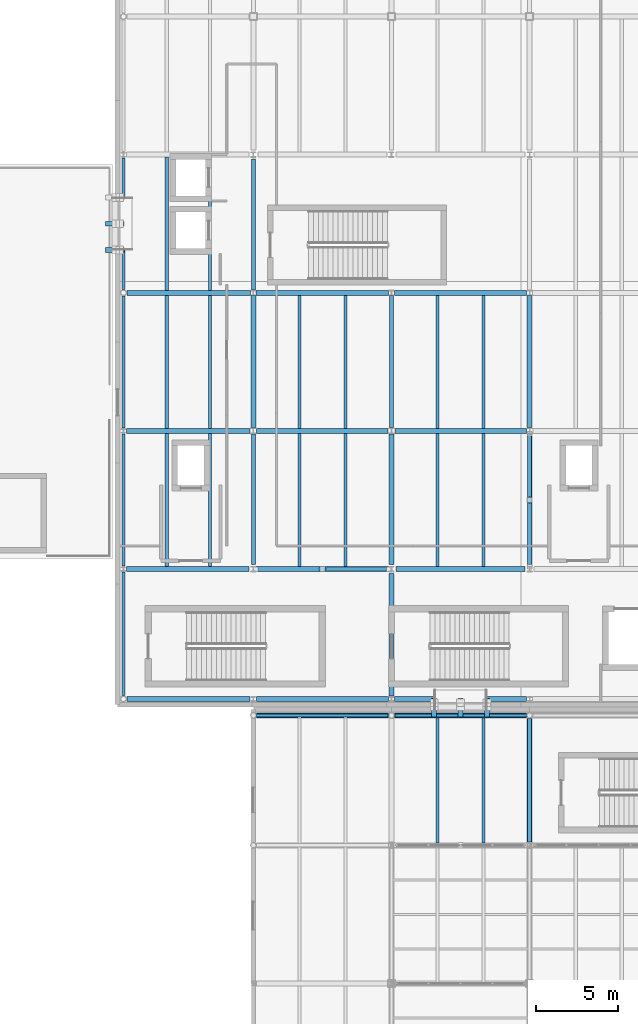
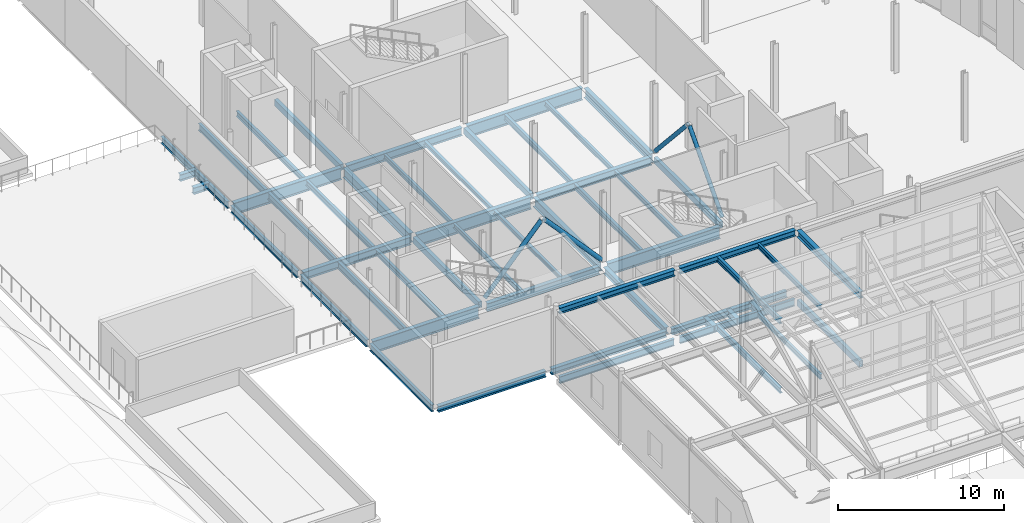
# One storey, part 35 of 91: 53 beams, 4 members.
"""IFC4 building model written with IfcOpenShell, lengths in metres."""

from ifc_helpers import new_model, si_unit, direction, frame, origin, origin_2d, place, context, subcontext, project, spatial, hollow_rectangle, hollow_circle, i_section, extrude, material, material_profile, profile_set, type_object, element, save


model = new_model("IFC4")

# Units and contexts
model_context = context("Model", 3, precision=1e-05, world=origin(), true_north=direction((0.0, 1.0)))
body_context = subcontext(model_context, "Body", "Model", "MODEL_VIEW")
ifc_project = project(units=[si_unit("LENGTHUNIT", "METRE"), si_unit("AREAUNIT", "SQUARE_METRE"), si_unit("VOLUMEUNIT", "CUBIC_METRE"), si_unit("PLANEANGLEUNIT", "RADIAN"), si_unit("MASSUNIT", "GRAM", prefix="KILO"), si_unit("THERMODYNAMICTEMPERATUREUNIT", "KELVIN")], contexts=[model_context])

# Site, building, storey
site_placement = place(None, origin())
site = spatial("IfcSite", under=ifc_project, at=site_placement, CompositionType="ELEMENT")
building_placement = place(site_placement, origin())
building = spatial("IfcBuilding", under=site, at=building_placement, Name="Lustrewick Department Store", CompositionType="ELEMENT")
storey_placement = place(building_placement, frame((0.0, 0.0, 21.60009765625)))
storey = spatial("IfcBuildingStorey", under=building, at=storey_placement, Name="L05", CompositionType="ELEMENT", Elevation=21.60009765625)

# Beams
ifc_material_1 = material(Name="Structural steel Q355B", Category="steel")
ifc_material_profile_1 = material_profile(ifc_material_1, i_section(OverallWidth=0.199951171875, OverallDepth=0.5, WebThickness=0.010009765625, FlangeThickness=0.01611328125, FilletRadius=0.01611328125, at=origin_2d()), Name="HN 500x200x10x16")
ifc_profile_set_1 = profile_set([ifc_material_profile_1], Name="Structural steel Q355B")
beam_type_1 = type_object("IfcBeamType", Name="B01", PredefinedType="JOIST", material=ifc_profile_set_1)
beam_1_placement = place(storey_placement, frame((112.333251953125, 58.949462890625, -0.505126953125), z_axis=(0.0, 1.0, 0.0), x_axis=(-1.0, 0.0, 0.0)))
element("IfcBeam", 1, at=beam_1_placement, inside=storey, type_object=beam_type_1, Name="L05 V4 Secondary Joist B01", PredefinedType="JOIST", context=body_context, shape_type="SweptSolid", body=[
    extrude(i_section(OverallWidth=0.199951171875, OverallDepth=0.5, WebThickness=0.010009765625, FlangeThickness=0.01611328125, FilletRadius=0.01611328125, at=origin_2d()), origin(), (0.0, 0.0, 1.0), 8.1005859375),
])
beam_2_placement = place(storey_placement, frame((112.333251953125, 67.35009765625, -0.505126953125), z_axis=(0.0, 1.0, 0.0), x_axis=(-1.0, 0.0, 0.0)))
element("IfcBeam", 2, at=beam_2_placement, inside=storey, type_object=beam_type_1, Name="L05 V4 Secondary Joist B01", PredefinedType="JOIST", context=body_context, shape_type="SweptSolid", body=[
    extrude(i_section(OverallWidth=0.199951171875, OverallDepth=0.5, WebThickness=0.010009765625, FlangeThickness=0.01611328125, FilletRadius=0.01611328125, at=origin_2d()), origin(), (0.0, 0.0, 1.0), 8.100341796875),
])
beam_3_placement = place(storey_placement, frame((112.333251953125, 75.74951171875, -0.505126953125), z_axis=(0.0, 1.0, 0.0), x_axis=(-1.0, 0.0, 0.0)))
element("IfcBeam", 3, at=beam_3_placement, inside=storey, type_object=beam_type_1, Name="L05 V4 Secondary Joist B01", PredefinedType="JOIST", context=body_context, shape_type="SweptSolid", body=[
    extrude(i_section(OverallWidth=0.199951171875, OverallDepth=0.5, WebThickness=0.010009765625, FlangeThickness=0.01611328125, FilletRadius=0.01611328125, at=origin_2d()), origin(), (0.0, 0.0, 1.0), 8.1005859375),
])
ifc_material_profile_2 = material_profile(ifc_material_1, i_section(OverallWidth=0.199951171875, OverallDepth=0.39990234375, WebThickness=0.008056640625, FlangeThickness=0.012939453125, FilletRadius=0.013916015625, at=origin_2d()), Name="HN 400x200x8x13")
ifc_profile_set_2 = profile_set([ifc_material_profile_2], Name="Structural steel Q355B")
beam_type_2 = type_object("IfcBeamType", Name="B05", PredefinedType="JOIST", material=ifc_profile_set_2)
beam_4_placement = place(storey_placement, frame((128.800048828125, 42.1494140625, -0.455078125), z_axis=(0.0, 1.0, 0.0), x_axis=(-1.0, 0.0, 0.0)))
element("IfcBeam", 4, at=beam_4_placement, inside=storey, type_object=beam_type_2, Name="L05 V3 Secondary Joist B05", PredefinedType="JOIST", context=body_context, shape_type="SweptSolid", body=[
    extrude(i_section(OverallWidth=0.199951171875, OverallDepth=0.39990234375, WebThickness=0.008056640625, FlangeThickness=0.012939453125, FilletRadius=0.013916015625, at=origin_2d()), origin(), (0.0, 0.0, 1.0), 7.650146484375),
])
for number, where, z_axis, x_axis, name in (
    (5, (114.966796875, 58.949462890625, -0.455078125), (0.0, 1.0, 0.0), (-1.0, 0.0, 0.0), "L05 V4 Secondary Joist B05"),
    (6, (128.800048828125, 58.949462890625, -0.455078125), (0.0, 1.0, 0.0), (-1.0, 0.0, 0.0), "L05 V4 Secondary Joist B05"),
):
    element("IfcBeam", number, at=place(storey_placement, frame(where, z_axis=z_axis, x_axis=x_axis)), inside=storey, type_object=beam_type_2, Name=name, PredefinedType="JOIST", context=body_context, shape_type="SweptSolid", body=[
        extrude(i_section(OverallWidth=0.199951171875, OverallDepth=0.39990234375, WebThickness=0.008056640625, FlangeThickness=0.012939453125, FilletRadius=0.013916015625, at=origin_2d()), origin(), (0.0, 0.0, 1.0), 8.1005859375),
    ])
for number, where, z_axis, x_axis, name in (
    (7, (114.966796875, 67.35009765625, -0.455078125), (0.0, 1.0, 0.0), (-1.0, 0.0, 0.0), "L05 V4 Secondary Joist B05"),
    (8, (128.800048828125, 67.35009765625, -0.455078125), (0.0, 1.0, 0.0), (-1.0, 0.0, 0.0), "L05 V4 Secondary Joist B05"),
):
    element("IfcBeam", number, at=place(storey_placement, frame(where, z_axis=z_axis, x_axis=x_axis)), inside=storey, type_object=beam_type_2, Name=name, PredefinedType="JOIST", context=body_context, shape_type="SweptSolid", body=[
        extrude(i_section(OverallWidth=0.199951171875, OverallDepth=0.39990234375, WebThickness=0.008056640625, FlangeThickness=0.012939453125, FilletRadius=0.013916015625, at=origin_2d()), origin(), (0.0, 0.0, 1.0), 8.100341796875),
    ])
beam_5_placement = place(storey_placement, frame((114.966796875, 75.74951171875, -0.455078125), z_axis=(0.0, 1.0, 0.0), x_axis=(-1.0, 0.0, 0.0)))
element("IfcBeam", 9, at=beam_5_placement, inside=storey, type_object=beam_type_2, Name="L05 V4 Secondary Joist B05", PredefinedType="JOIST", context=body_context, shape_type="SweptSolid", body=[
    extrude(i_section(OverallWidth=0.199951171875, OverallDepth=0.39990234375, WebThickness=0.008056640625, FlangeThickness=0.012939453125, FilletRadius=0.013916015625, at=origin_2d()), origin(), (0.0, 0.0, 1.0), 8.1005859375),
])
ifc_material_profile_3 = material_profile(ifc_material_1, i_section(OverallWidth=0.198974609375, OverallDepth=0.39599609375, WebThickness=0.007080078125, FlangeThickness=0.010986328125, FilletRadius=0.013916015625, at=origin_2d()), Name="HN 396x199x7x11")
ifc_profile_set_3 = profile_set([ifc_material_profile_3], Name="Structural steel Q355B")
beam_type_3 = type_object("IfcBeamType", Name="B06", PredefinedType="JOIST", material=ifc_profile_set_3)
beam_6_placement = place(storey_placement, frame((128.800048828125, 42.15087890625, 4.64697265625), z_axis=(0.0, 1.0, 0.0), x_axis=(-1.0, 0.0, 0.0)))
element("IfcBeam", 10, at=beam_6_placement, inside=storey, type_object=beam_type_3, Name="L05 V3 Secondary Joist B06", PredefinedType="JOIST", context=body_context, shape_type="SweptSolid", body=[
    extrude(i_section(OverallWidth=0.198974609375, OverallDepth=0.39599609375, WebThickness=0.007080078125, FlangeThickness=0.010986328125, FilletRadius=0.013916015625, at=origin_2d()), origin(), (0.0, 0.0, 1.0), 7.59912109375),
])
ifc_material_profile_4 = material_profile(ifc_material_1, i_section(OverallWidth=0.175048828125, OverallDepth=0.35009765625, WebThickness=0.007080078125, FlangeThickness=0.010986328125, FilletRadius=0.012939453125, at=origin_2d()), Name="HN 350x175x7x11")
ifc_profile_set_4 = profile_set([ifc_material_profile_4], Name="Structural steel Q355B")
beam_type_4 = type_object("IfcBeamType", Name="B09", PredefinedType="JOIST", material=ifc_profile_set_4)
beam_7_placement = place(storey_placement, frame((131.60009765625, 42.1494140625, -0.43017578125), z_axis=(0.0, 1.0, 0.0), x_axis=(-1.0, 0.0, 0.0)))
element("IfcBeam", 11, at=beam_7_placement, inside=storey, type_object=beam_type_4, Name="L05 V3 Secondary Joist B09", PredefinedType="JOIST", context=body_context, shape_type="SweptSolid", body=[
    extrude(i_section(OverallWidth=0.175048828125, OverallDepth=0.35009765625, WebThickness=0.007080078125, FlangeThickness=0.010986328125, FilletRadius=0.012939453125, at=origin_2d()), origin(), (0.0, 0.0, 1.0), 7.650146484375),
])
for number, where, z_axis, x_axis, name in (
    (12, (120.39990234375, 58.949951171875, -0.43017578125), (0.0, 1.0, 0.0), (-1.0, 0.0, 0.0), "L05 V4 Secondary Joist B09"),
    (13, (131.60009765625, 58.949462890625, -0.43017578125), (0.0, 1.0, 0.0), (-1.0, 0.0, 0.0), "L05 V4 Secondary Joist B09"),
):
    element("IfcBeam", number, at=place(storey_placement, frame(where, z_axis=z_axis, x_axis=x_axis)), inside=storey, type_object=beam_type_4, Name=name, PredefinedType="JOIST", context=body_context, shape_type="SweptSolid", body=[
        extrude(i_section(OverallWidth=0.175048828125, OverallDepth=0.35009765625, WebThickness=0.007080078125, FlangeThickness=0.010986328125, FilletRadius=0.012939453125, at=origin_2d()), origin(), (0.0, 0.0, 1.0), 8.1005859375),
    ])
for number, where, z_axis, x_axis, name in (
    (14, (120.39990234375, 67.349609375, -0.43017578125), (0.0, 1.0, 0.0), (-1.0, 0.0, 0.0), "L05 V4 Secondary Joist B09"),
    (15, (131.60009765625, 67.35009765625, -0.43017578125), (0.0, 1.0, 0.0), (-1.0, 0.0, 0.0), "L05 V4 Secondary Joist B09"),
):
    element("IfcBeam", number, at=place(storey_placement, frame(where, z_axis=z_axis, x_axis=x_axis)), inside=storey, type_object=beam_type_4, Name=name, PredefinedType="JOIST", context=body_context, shape_type="SweptSolid", body=[
        extrude(i_section(OverallWidth=0.175048828125, OverallDepth=0.35009765625, WebThickness=0.007080078125, FlangeThickness=0.010986328125, FilletRadius=0.012939453125, at=origin_2d()), origin(), (0.0, 0.0, 1.0), 8.100341796875),
    ])
ifc_material_profile_5 = material_profile(ifc_material_1, i_section(OverallWidth=0.174072265625, OverallDepth=0.345947265625, WebThickness=0.006103515625, FlangeThickness=0.009033203125, FilletRadius=0.012939453125, at=origin_2d()), Name="HN 346x174x6x9")
ifc_profile_set_5 = profile_set([ifc_material_profile_5], Name="Structural steel Q355B")
beam_type_5 = type_object("IfcBeamType", Name="B10", PredefinedType="JOIST", material=ifc_profile_set_5)
beam_8_placement = place(storey_placement, frame((131.60009765625, 42.15087890625, 4.671875), z_axis=(0.0, 1.0, 0.0), x_axis=(-1.0, 0.0, 0.0)))
element("IfcBeam", 16, at=beam_8_placement, inside=storey, type_object=beam_type_5, Name="L05 V3 Secondary Joist B10", PredefinedType="JOIST", context=body_context, shape_type="SweptSolid", body=[
    extrude(i_section(OverallWidth=0.174072265625, OverallDepth=0.345947265625, WebThickness=0.006103515625, FlangeThickness=0.009033203125, FilletRadius=0.012939453125, at=origin_2d()), origin(), (0.0, 0.0, 1.0), 7.59912109375),
])
ifc_material_profile_6 = material_profile(ifc_material_1, i_section(OverallWidth=0.199951171875, OverallDepth=0.2939453125, WebThickness=0.008056640625, FlangeThickness=0.011962890625, FilletRadius=0.013916015625, at=origin_2d()), Name="HM 294x200x8x12")
ifc_profile_set_6 = profile_set([ifc_material_profile_6], Name="Structural steel Q355B")
beam_type_6 = type_object("IfcBeamType", Name="B13", PredefinedType="JOIST", material=ifc_profile_set_6)
beam_9_placement = place(storey_placement, frame((123.199951171875, 58.949951171875, -0.402099609375), z_axis=(0.0, 1.0, 0.0), x_axis=(-1.0, 0.0, 0.0)))
element("IfcBeam", 17, at=beam_9_placement, inside=storey, type_object=beam_type_6, Name="L05 V4 Secondary Joist B13", PredefinedType="JOIST", context=body_context, shape_type="SweptSolid", body=[
    extrude(i_section(OverallWidth=0.199951171875, OverallDepth=0.2939453125, WebThickness=0.008056640625, FlangeThickness=0.011962890625, FilletRadius=0.013916015625, at=origin_2d()), origin(), (0.0, 0.0, 1.0), 8.1005859375),
])
beam_10_placement = place(storey_placement, frame((123.199951171875, 67.349609375, -0.402099609375), z_axis=(0.0, 1.0, 0.0), x_axis=(-1.0, 0.0, 0.0)))
element("IfcBeam", 18, at=beam_10_placement, inside=storey, type_object=beam_type_6, Name="L05 V4 Secondary Joist B13", PredefinedType="JOIST", context=body_context, shape_type="SweptSolid", body=[
    extrude(i_section(OverallWidth=0.199951171875, OverallDepth=0.2939453125, WebThickness=0.008056640625, FlangeThickness=0.011962890625, FilletRadius=0.013916015625, at=origin_2d()), origin(), (0.0, 0.0, 1.0), 8.100341796875),
])

# Members
ifc_material_2 = material(Name="Structural steel Q355C", Category="steel")
ifc_material_profile_7 = material_profile(ifc_material_2, hollow_circle(Radius=0.1494140625, WallThickness=0.011962890625, at=origin_2d()), Name="CHS 299x12")
ifc_profile_set_7 = profile_set([ifc_material_profile_7], Name="Structural steel Q355C")
member_type_1 = type_object("IfcMemberType", Name="BR02", PredefinedType="BRACE", material=ifc_profile_set_7)
member_1_placement = place(storey_placement, frame((117.75, 58.800048828125, 0.14990234375), z_axis=(0.672670724561, 0.0, 0.739941954695), x_axis=(0.0, 1.0, 0.0)))
element("IfcMember", 19, at=member_1_placement, inside=storey, type_object=member_type_1, Name="L05 V4 Chevron Brace BR02", PredefinedType="BRACE", context=body_context, shape_type="SweptSolid", body=[
    extrude(hollow_circle(Radius=0.1494140625, WallThickness=0.011962890625, at=origin_2d()), origin(), (0.0, 0.0, 1.0), 5.8720703125),
])
member_2_placement = place(storey_placement, frame((125.85009765625, 58.800048828125, 0.14990234375), z_axis=(-0.672693487479, 0.0, 0.73992126061), x_axis=(0.0, -1.0, 0.0)))
element("IfcMember", 20, at=member_2_placement, inside=storey, type_object=member_type_1, Name="L05 V4 Chevron Brace BR02", PredefinedType="BRACE", context=body_context, shape_type="SweptSolid", body=[
    extrude(hollow_circle(Radius=0.1494140625, WallThickness=0.011962890625, at=origin_2d()), origin(), (0.0, 0.0, 1.0), 5.872314453125),
])
ifc_material_profile_8 = material_profile(ifc_material_2, hollow_circle(Radius=0.136474609375, WallThickness=0.010009765625, at=origin_2d()), Name="CHS 273x10")
ifc_profile_set_8 = profile_set([ifc_material_profile_8], Name="Structural steel Q355C")
member_type_2 = type_object("IfcMemberType", Name="BR03", PredefinedType="BRACE", material=ifc_profile_set_8)
member_3_placement = place(storey_placement, frame((134.39990234375, 58.949951171875, 0.14990234375), z_axis=(0.0, 0.672670724561, 0.739941954695), x_axis=(-1.0, 0.0, 0.0)))
element("IfcMember", 21, at=member_3_placement, inside=storey, type_object=member_type_2, Name="L05 V4 Chevron Brace BR03", PredefinedType="BRACE", context=body_context, shape_type="SweptSolid", body=[
    extrude(hollow_circle(Radius=0.136474609375, WallThickness=0.010009765625, at=origin_2d()), origin(), (0.0, 0.0, 1.0), 5.8720703125),
])
member_4_placement = place(storey_placement, frame((134.39990234375, 67.028076171875, 0.14990234375), z_axis=(0.0, -0.670614222586, 0.741806285), x_axis=(1.0, 0.0, 0.0)))
element("IfcMember", 22, at=member_4_placement, inside=storey, type_object=member_type_2, Name="L05 V4 Chevron Brace BR03", PredefinedType="BRACE", context=body_context, shape_type="SweptSolid", body=[
    extrude(hollow_circle(Radius=0.136474609375, WallThickness=0.010009765625, at=origin_2d()), origin(), (0.0, 0.0, 1.0), 5.857177734375),
])

# Beams
ifc_material_profile_9 = material_profile(ifc_material_2, i_section(OverallWidth=0.299072265625, OverallDepth=0.889892578125, WebThickness=0.014892578125, FlangeThickness=0.02294921875, FilletRadius=0.02392578125, at=origin_2d()), Name="HN 890x299x15x23")
ifc_profile_set_9 = profile_set([ifc_material_profile_9], Name="Structural steel Q355C")
beam_type_7 = type_object("IfcBeamType", Name="G03", PredefinedType="BEAM", material=ifc_profile_set_9)
beam_11_placement = place(storey_placement, frame((109.888427734375, 58.800048828125, -0.7001953125), z_axis=(1.0, 0.0, 0.0), x_axis=(0.0, 1.0, 0.0)))
element("IfcBeam", 23, at=beam_11_placement, inside=storey, type_object=beam_type_7, Name="L05 V4 Girder G03", PredefinedType="BEAM", context=body_context, shape_type="SweptSolid", body=[
    extrude(i_section(OverallWidth=0.299072265625, OverallDepth=0.889892578125, WebThickness=0.014892578125, FlangeThickness=0.02294921875, FilletRadius=0.02392578125, at=origin_2d()), origin(), (0.0, 0.0, 1.0), 7.4365234375),
])
beam_12_placement = place(storey_placement, frame((126.27490234375, 58.800048828125, -0.7001953125), z_axis=(1.0, 0.0, 0.0), x_axis=(0.0, 1.0, 0.0)))
element("IfcBeam", 24, at=beam_12_placement, inside=storey, type_object=beam_type_7, Name="L05 V4 Girder G03", PredefinedType="BEAM", context=body_context, shape_type="SweptSolid", body=[
    extrude(i_section(OverallWidth=0.299072265625, OverallDepth=0.889892578125, WebThickness=0.014892578125, FlangeThickness=0.02294921875, FilletRadius=0.02392578125, at=origin_2d()), origin(), (0.0, 0.0, 1.0), 7.85009765625),
])
beam_13_placement = place(storey_placement, frame((117.801025390625, 67.199951171875, -0.7001953125), z_axis=(1.0, 0.0, 0.0), x_axis=(0.0, 1.0, 0.0)))
element("IfcBeam", 25, at=beam_13_placement, inside=storey, type_object=beam_type_7, Name="L05 V4 Girder G03", PredefinedType="BEAM", context=body_context, shape_type="SweptSolid", body=[
    extrude(i_section(OverallWidth=0.299072265625, OverallDepth=0.889892578125, WebThickness=0.014892578125, FlangeThickness=0.02294921875, FilletRadius=0.02392578125, at=origin_2d()), origin(), (0.0, 0.0, 1.0), 7.998046875),
])
beam_14_placement = place(storey_placement, frame((109.903076171875, 75.60009765625, -0.7001953125), z_axis=(1.0, 0.0, 0.0), x_axis=(0.0, 1.0, 0.0)))
element("IfcBeam", 26, at=beam_14_placement, inside=storey, type_object=beam_type_7, Name="L05 V4 Girder G03", PredefinedType="BEAM", context=body_context, shape_type="SweptSolid", body=[
    extrude(i_section(OverallWidth=0.299072265625, OverallDepth=0.889892578125, WebThickness=0.014892578125, FlangeThickness=0.02294921875, FilletRadius=0.02392578125, at=origin_2d()), origin(), (0.0, 0.0, 1.0), 7.52197265625),
])
beam_15_placement = place(storey_placement, frame((126.175048828125, 75.60009765625, -0.7001953125), z_axis=(1.0, 0.0, 0.0), x_axis=(0.0, 1.0, 0.0)))
element("IfcBeam", 27, at=beam_15_placement, inside=storey, type_object=beam_type_7, Name="L05 V4 Girder G03", PredefinedType="BEAM", context=body_context, shape_type="SweptSolid", body=[
    extrude(i_section(OverallWidth=0.299072265625, OverallDepth=0.889892578125, WebThickness=0.014892578125, FlangeThickness=0.02294921875, FilletRadius=0.02392578125, at=origin_2d()), origin(), (0.0, 0.0, 1.0), 8.050048828125),
])
ifc_material_profile_10 = material_profile(ifc_material_1, i_section(OverallWidth=0.300048828125, OverallDepth=0.699951171875, WebThickness=0.012939453125, FlangeThickness=0.02392578125, FilletRadius=0.02001953125, at=origin_2d()), Name="HN 700x300x13x24")
ifc_profile_set_10 = profile_set([ifc_material_profile_10], Name="Structural steel Q355B")
beam_type_8 = type_object("IfcBeamType", Name="G08", PredefinedType="BEAM", material=ifc_profile_set_10)
beam_16_placement = place(storey_placement, frame((117.60009765625, 67.39404296875, -0.60498046875), z_axis=(0.0, 1.0, 0.0), x_axis=(-1.0, 0.0, 0.0)))
element("IfcBeam", 28, at=beam_16_placement, inside=storey, type_object=beam_type_8, Name="L05 V4 Girder G08", PredefinedType="BEAM", context=body_context, shape_type="SweptSolid", body=[
    extrude(i_section(OverallWidth=0.300048828125, OverallDepth=0.699951171875, WebThickness=0.012939453125, FlangeThickness=0.02392578125, FilletRadius=0.02001953125, at=origin_2d()), origin(), (0.0, 0.0, 1.0), 8.031005859375),
])
beam_17_placement = place(storey_placement, frame((126.0, 59.074951171875, -0.60498046875), z_axis=(0.0, 1.0, 0.0), x_axis=(-1.0, 0.0, 0.0)))
element("IfcBeam", 29, at=beam_17_placement, inside=storey, type_object=beam_type_8, Name="L05 V4 Girder G08", PredefinedType="BEAM", context=body_context, shape_type="SweptSolid", body=[
    extrude(i_section(OverallWidth=0.300048828125, OverallDepth=0.699951171875, WebThickness=0.012939453125, FlangeThickness=0.02392578125, FilletRadius=0.02001953125, at=origin_2d()), origin(), (0.0, 0.0, 1.0), 7.93115234375),
])
beam_18_placement = place(storey_placement, frame((134.39990234375, 67.39404296875, -0.60498046875), z_axis=(0.0, 1.0, 0.0), x_axis=(-1.0, 0.0, 0.0)))
element("IfcBeam", 30, at=beam_18_placement, inside=storey, type_object=beam_type_8, Name="L05 V4 Girder G08", PredefinedType="BEAM", context=body_context, shape_type="SweptSolid", body=[
    extrude(i_section(OverallWidth=0.300048828125, OverallDepth=0.699951171875, WebThickness=0.012939453125, FlangeThickness=0.02392578125, FilletRadius=0.02001953125, at=origin_2d()), origin(), (0.0, 0.0, 1.0), 8.031005859375),
])
ifc_material_profile_11 = material_profile(ifc_material_1, i_section(OverallWidth=0.300048828125, OverallDepth=0.587890625, WebThickness=0.011962890625, FlangeThickness=0.02001953125, FilletRadius=0.02392578125, at=origin_2d()), Name="HM 588x300x12x20")
ifc_profile_set_11 = profile_set([ifc_material_profile_11], Name="Structural steel Q355B")
beam_type_9 = type_object("IfcBeamType", Name="G11", PredefinedType="BEAM", material=ifc_profile_set_11)
beam_19_placement = place(storey_placement, frame((117.875, 58.800048828125, -0.549072265625), z_axis=(1.0, 0.0, 0.0), x_axis=(0.0, 1.0, 0.0)))
element("IfcBeam", 31, at=beam_19_placement, inside=storey, type_object=beam_type_9, Name="L05 V4 Girder G11", PredefinedType="BEAM", context=body_context, shape_type="SweptSolid", body=[
    extrude(i_section(OverallWidth=0.300048828125, OverallDepth=0.587890625, WebThickness=0.011962890625, FlangeThickness=0.02001953125, FilletRadius=0.02392578125, at=origin_2d()), origin(), (0.0, 0.0, 1.0), 7.85009765625),
])
beam_20_placement = place(storey_placement, frame((126.200927734375, 67.199951171875, -0.549072265625), z_axis=(1.0, 0.0, 0.0), x_axis=(0.0, 1.0, 0.0)))
element("IfcBeam", 32, at=beam_20_placement, inside=storey, type_object=beam_type_9, Name="L05 V4 Girder G11", PredefinedType="BEAM", context=body_context, shape_type="SweptSolid", body=[
    extrude(i_section(OverallWidth=0.300048828125, OverallDepth=0.587890625, WebThickness=0.011962890625, FlangeThickness=0.02001953125, FilletRadius=0.02392578125, at=origin_2d()), origin(), (0.0, 0.0, 1.0), 7.998046875),
])
beam_21_placement = place(storey_placement, frame((117.77490234375, 75.60009765625, -0.549072265625), z_axis=(1.0, 0.0, 0.0), x_axis=(0.0, 1.0, 0.0)))
element("IfcBeam", 33, at=beam_21_placement, inside=storey, type_object=beam_type_9, Name="L05 V4 Girder G11", PredefinedType="BEAM", context=body_context, shape_type="SweptSolid", body=[
    extrude(i_section(OverallWidth=0.300048828125, OverallDepth=0.587890625, WebThickness=0.011962890625, FlangeThickness=0.02001953125, FilletRadius=0.02392578125, at=origin_2d()), origin(), (0.0, 0.0, 1.0), 8.050048828125),
])
ifc_material_profile_12 = material_profile(ifc_material_1, i_section(OverallWidth=0.300048828125, OverallDepth=0.58203125, WebThickness=0.011962890625, FlangeThickness=0.01708984375, FilletRadius=0.02392578125, at=origin_2d()), Name="HM 582x300x12x17")
ifc_profile_set_12 = profile_set([ifc_material_profile_12], Name="Structural steel Q355B")
beam_type_10 = type_object("IfcBeamType", Name="G12", PredefinedType="BEAM", material=ifc_profile_set_12)
beam_22_placement = place(storey_placement, frame((109.888427734375, 67.199951171875, -0.546142578125), z_axis=(1.0, 0.0, 0.0), x_axis=(0.0, 1.0, 0.0)))
element("IfcBeam", 34, at=beam_22_placement, inside=storey, type_object=beam_type_10, Name="L05 V4 Girder G12", PredefinedType="BEAM", context=body_context, shape_type="SweptSolid", body=[
    extrude(i_section(OverallWidth=0.300048828125, OverallDepth=0.58203125, WebThickness=0.011962890625, FlangeThickness=0.01708984375, FilletRadius=0.02392578125, at=origin_2d()), origin(), (0.0, 0.0, 1.0), 7.510498046875),
])
ifc_material_profile_13 = material_profile(ifc_material_1, i_section(OverallWidth=0.300048828125, OverallDepth=0.488037109375, WebThickness=0.010986328125, FlangeThickness=0.01806640625, FilletRadius=0.02197265625, at=origin_2d()), Name="HM 488x300x11x18")
ifc_profile_set_13 = profile_set([ifc_material_profile_13], Name="Structural steel Q355B")
beam_type_11 = type_object("IfcBeamType", Name="G16", PredefinedType="BEAM", material=ifc_profile_set_13)
for number, where, z_axis, x_axis, name in (
    (35, (108.60009765625, 78.199951171875, -0.4990234375), (1.0, 0.0, 0.0), (0.0, 1.0, 0.0), "L05 Skybridge SB24 Girder 1"),
    (36, (108.60009765625, 79.800048828125, -0.4990234375), (1.0, 0.0, 0.0), (0.0, 1.0, 0.0), "L05 Skybridge SB24 Girder 3"),
    (37, (128.60009765625, 49.800048828125, -0.4990234375), (0.0, 1.0, 0.0), (-1.0, 0.0, 0.0), "L05 Skybridge SB34 Girder 1"),
    (38, (131.800048828125, 49.800048828125, -0.4990234375), (0.0, 1.0, 0.0), (-1.0, 0.0, 0.0), "L05 Skybridge SB34 Girder 2"),
    (39, (130.199951171875, 49.800048828125, -0.4990234375), (0.0, 1.0, 0.0), (-1.0, 0.0, 0.0), "L05 Skybridge SB34 Girder 3"),
):
    element("IfcBeam", number, at=place(storey_placement, frame(where, z_axis=z_axis, x_axis=x_axis)), inside=storey, type_object=beam_type_11, Name=name, PredefinedType="BEAM", context=body_context, shape_type="SweptSolid", body=[
        extrude(i_section(OverallWidth=0.300048828125, OverallDepth=0.488037109375, WebThickness=0.010986328125, FlangeThickness=0.01806640625, FilletRadius=0.02197265625, at=origin_2d()), origin(), (0.0, 0.0, 1.0), 1.139892578125),
    ])
ifc_material_profile_14 = material_profile(ifc_material_2, hollow_rectangle(XDim=0.25, YDim=0.449951171875, WallThickness=0.013916015625, at=origin_2d()), Name="RHS 450x250x14")
ifc_profile_set_14 = profile_set([ifc_material_profile_14], Name="Structural steel Q355C")
beam_type_12 = type_object("IfcBeamType", Name="G18", PredefinedType="BEAM", material=ifc_profile_set_14)
beam_23_placement = place(storey_placement, frame((134.39990234375, 42.194091796875, -0.47998046875), z_axis=(0.0, 1.0, 0.0), x_axis=(-1.0, 0.0, 0.0)))
element("IfcBeam", 40, at=beam_23_placement, inside=storey, type_object=beam_type_12, Name="L05 V3 Girder G18", PredefinedType="BEAM", context=body_context, shape_type="SweptSolid", body=[
    extrude(hollow_rectangle(XDim=0.25, YDim=0.449951171875, WallThickness=0.013916015625, at=origin_2d()), origin(), (0.0, 0.0, 1.0), 7.5029296875),
])
beam_24_placement = place(storey_placement, frame((117.60009765625, 59.074951171875, -0.47998046875), z_axis=(0.0, 1.0, 0.0), x_axis=(-1.0, 0.0, 0.0)))
element("IfcBeam", 41, at=beam_24_placement, inside=storey, type_object=beam_type_12, Name="L05 V4 Girder G18", PredefinedType="BEAM", context=body_context, shape_type="SweptSolid", body=[
    extrude(hollow_rectangle(XDim=0.25, YDim=0.449951171875, WallThickness=0.013916015625, at=origin_2d()), origin(), (0.0, 0.0, 1.0), 7.93115234375),
])
beam_25_placement = place(storey_placement, frame((117.60009765625, 75.77490234375, -0.47998046875), z_axis=(0.0, 1.0, 0.0), x_axis=(-1.0, 0.0, 0.0)))
element("IfcBeam", 42, at=beam_25_placement, inside=storey, type_object=beam_type_12, Name="L05 V4 Girder G18", PredefinedType="BEAM", context=body_context, shape_type="SweptSolid", body=[
    extrude(hollow_rectangle(XDim=0.25, YDim=0.449951171875, WallThickness=0.013916015625, at=origin_2d()), origin(), (0.0, 0.0, 1.0), 7.9501953125),
])
beam_26_placement = place(storey_placement, frame((126.0, 67.39404296875, -0.47998046875), z_axis=(0.0, 1.0, 0.0), x_axis=(-1.0, 0.0, 0.0)))
element("IfcBeam", 43, at=beam_26_placement, inside=storey, type_object=beam_type_12, Name="L05 V4 Girder G18", PredefinedType="BEAM", context=body_context, shape_type="SweptSolid", body=[
    extrude(hollow_rectangle(XDim=0.25, YDim=0.449951171875, WallThickness=0.013916015625, at=origin_2d()), origin(), (0.0, 0.0, 1.0), 8.031005859375),
])
beam_27_placement = place(storey_placement, frame((134.39990234375, 59.074951171875, -0.47998046875), z_axis=(0.0, 1.0, 0.0), x_axis=(-1.0, 0.0, 0.0)))
element("IfcBeam", 44, at=beam_27_placement, inside=storey, type_object=beam_type_12, Name="L05 V4 Girder G18", PredefinedType="BEAM", context=body_context, shape_type="SweptSolid", body=[
    extrude(hollow_rectangle(XDim=0.25, YDim=0.449951171875, WallThickness=0.013916015625, at=origin_2d()), origin(), (0.0, 0.0, 1.0), 7.93115234375),
])
ifc_material_profile_15 = material_profile(ifc_material_1, i_section(OverallWidth=0.300048828125, OverallDepth=0.48193359375, WebThickness=0.010986328125, FlangeThickness=0.014892578125, FilletRadius=0.02197265625, at=origin_2d()), Name="HM 482x300x11x15")
ifc_profile_set_15 = profile_set([ifc_material_profile_15], Name="Structural steel Q355B")
beam_type_13 = type_object("IfcBeamType", Name="G20", PredefinedType="BEAM", material=ifc_profile_set_15)
beam_28_placement = place(storey_placement, frame((126.0, 51.08837890625, -0.49609375), z_axis=(0.0, 1.0, 0.0), x_axis=(-1.0, 0.0, 0.0)))
element("IfcBeam", 45, at=beam_28_placement, inside=storey, type_object=beam_type_13, Name="L05 V4 Girder G20", PredefinedType="BEAM", context=body_context, shape_type="SweptSolid", body=[
    extrude(i_section(OverallWidth=0.300048828125, OverallDepth=0.48193359375, WebThickness=0.010986328125, FlangeThickness=0.014892578125, FilletRadius=0.02197265625, at=origin_2d()), origin(), (0.0, 0.0, 1.0), 7.4365234375),
])
beam_29_placement = place(storey_placement, frame((134.39990234375, 42.172119140625, 4.60400390625), z_axis=(0.0, 1.0, 0.0), x_axis=(-1.0, 0.0, 0.0)))
element("IfcBeam", 46, at=beam_29_placement, inside=storey, type_object=beam_type_13, Name="L05 V3 Girder G20", PredefinedType="BEAM", context=body_context, shape_type="SweptSolid", body=[
    extrude(i_section(OverallWidth=0.300048828125, OverallDepth=0.48193359375, WebThickness=0.010986328125, FlangeThickness=0.014892578125, FilletRadius=0.02197265625, at=origin_2d()), origin(), (0.0, 0.0, 1.0), 7.5498046875),
])
ifc_material_profile_16 = material_profile(ifc_material_1, i_section(OverallWidth=0.200927734375, OverallDepth=0.506103515625, WebThickness=0.010986328125, FlangeThickness=0.01904296875, FilletRadius=0.01611328125, at=origin_2d()), Name="HN 506x201x11x19")
ifc_profile_set_16 = profile_set([ifc_material_profile_16], Name="Structural steel Q355B")
beam_type_14 = type_object("IfcBeamType", Name="SP01", PredefinedType="SPANDREL", material=ifc_profile_set_16)
for number, where, z_axis, x_axis, name in (
    (47, (117.802978515625, 49.89990234375, -0.508056640625), (1.0, 0.0, 0.0), (0.0, 1.0, 0.0), "L05 V3 Girder SP01"),
    (48, (126.202880859375, 49.89990234375, -0.508056640625), (1.0, 0.0, 0.0), (0.0, 1.0, 0.0), "L05 V3 Girder SP01"),
):
    element("IfcBeam", number, at=place(storey_placement, frame(where, z_axis=z_axis, x_axis=x_axis)), inside=storey, type_object=beam_type_14, Name=name, PredefinedType="SPANDREL", context=body_context, shape_type="SweptSolid", body=[
        extrude(i_section(OverallWidth=0.200927734375, OverallDepth=0.506103515625, WebThickness=0.010986328125, FlangeThickness=0.01904296875, FilletRadius=0.01611328125, at=origin_2d()), origin(), (0.0, 0.0, 1.0), 7.994140625),
    ])
beam_30_placement = place(storey_placement, frame((109.699951171875, 51.10302734375, -0.508056640625), z_axis=(0.0, 1.0, 0.0), x_axis=(-1.0, 0.0, 0.0)))
element("IfcBeam", 49, at=beam_30_placement, inside=storey, type_object=beam_type_14, Name="L05 V4 Girder SP01", PredefinedType="SPANDREL", context=body_context, shape_type="SweptSolid", body=[
    extrude(i_section(OverallWidth=0.200927734375, OverallDepth=0.506103515625, WebThickness=0.010986328125, FlangeThickness=0.01904296875, FilletRadius=0.01611328125, at=origin_2d()), origin(), (0.0, 0.0, 1.0), 7.508544921875),
])
beam_31_placement = place(storey_placement, frame((109.699951171875, 58.988525390625, -0.508056640625), z_axis=(0.0, 1.0, 0.0), x_axis=(-1.0, 0.0, 0.0)))
element("IfcBeam", 50, at=beam_31_placement, inside=storey, type_object=beam_type_14, Name="L05 V4 Girder SP01", PredefinedType="SPANDREL", context=body_context, shape_type="SweptSolid", body=[
    extrude(i_section(OverallWidth=0.200927734375, OverallDepth=0.506103515625, WebThickness=0.010986328125, FlangeThickness=0.01904296875, FilletRadius=0.01611328125, at=origin_2d()), origin(), (0.0, 0.0, 1.0), 8.02294921875),
])
for number, where, z_axis, x_axis, name in (
    (51, (109.699951171875, 67.388427734375, -0.508056640625), (0.0, 1.0, 0.0), (-1.0, 0.0, 0.0), "L05 V4 Girder SP01"),
    (52, (109.699951171875, 75.802978515625, -0.508056640625), (0.0, 1.0, 0.0), (-1.0, 0.0, 0.0), "L05 V4 Girder SP01"),
):
    element("IfcBeam", number, at=place(storey_placement, frame(where, z_axis=z_axis, x_axis=x_axis)), inside=storey, type_object=beam_type_14, Name=name, PredefinedType="SPANDREL", context=body_context, shape_type="SweptSolid", body=[
        extrude(i_section(OverallWidth=0.200927734375, OverallDepth=0.506103515625, WebThickness=0.010986328125, FlangeThickness=0.01904296875, FilletRadius=0.01611328125, at=origin_2d()), origin(), (0.0, 0.0, 1.0), 8.008544921875),
    ])
ifc_material_profile_17 = material_profile(ifc_material_1, i_section(OverallWidth=0.300048828125, OverallDepth=0.43994140625, WebThickness=0.010986328125, FlangeThickness=0.01806640625, FilletRadius=0.02001953125, at=origin_2d()), Name="HM 440x300x11x18")
ifc_profile_set_17 = profile_set([ifc_material_profile_17], Name="Structural steel Q355B")
beam_type_15 = type_object("IfcBeamType", Name="SP02", PredefinedType="SPANDREL", material=ifc_profile_set_17)
beam_32_placement = place(storey_placement, frame((109.903076171875, 50.89990234375, -0.47509765625), z_axis=(1.0, 0.0, 0.0), x_axis=(0.0, 1.0, 0.0)))
element("IfcBeam", 53, at=beam_32_placement, inside=storey, type_object=beam_type_15, Name="L05 V4 Girder SP02", PredefinedType="SPANDREL", context=body_context, shape_type="SweptSolid", body=[
    extrude(i_section(OverallWidth=0.300048828125, OverallDepth=0.43994140625, WebThickness=0.010986328125, FlangeThickness=0.01806640625, FilletRadius=0.02001953125, at=origin_2d()), origin(), (0.0, 0.0, 1.0), 7.508544921875),
])
for number, where, z_axis, x_axis, name in (
    (54, (117.78857421875, 50.89990234375, -0.47509765625), (1.0, 0.0, 0.0), (0.0, 1.0, 0.0), "L05 V4 Girder SP02"),
    (55, (126.1884765625, 50.89990234375, -0.47509765625), (1.0, 0.0, 0.0), (0.0, 1.0, 0.0), "L05 V4 Girder SP02"),
):
    element("IfcBeam", number, at=place(storey_placement, frame(where, z_axis=z_axis, x_axis=x_axis)), inside=storey, type_object=beam_type_15, Name=name, PredefinedType="SPANDREL", context=body_context, shape_type="SweptSolid", body=[
        extrude(i_section(OverallWidth=0.300048828125, OverallDepth=0.43994140625, WebThickness=0.010986328125, FlangeThickness=0.01806640625, FilletRadius=0.02001953125, at=origin_2d()), origin(), (0.0, 0.0, 1.0), 8.02294921875),
    ])
for number, where, z_axis, x_axis, name in (
    (56, (117.778076171875, 49.89990234375, 4.625), (1.0, 0.0, 0.0), (0.0, 1.0, 0.0), "L05 V3 Girder SP02"),
    (57, (126.177978515625, 49.89990234375, 4.625), (1.0, 0.0, 0.0), (0.0, 1.0, 0.0), "L05 V3 Girder SP02"),
):
    element("IfcBeam", number, at=place(storey_placement, frame(where, z_axis=z_axis, x_axis=x_axis)), inside=storey, type_object=beam_type_15, Name=name, PredefinedType="SPANDREL", context=body_context, shape_type="SweptSolid", body=[
        extrude(i_section(OverallWidth=0.300048828125, OverallDepth=0.43994140625, WebThickness=0.010986328125, FlangeThickness=0.01806640625, FilletRadius=0.02001953125, at=origin_2d()), origin(), (0.0, 0.0, 1.0), 8.0439453125),
    ])

save(model, "model.ifc")
